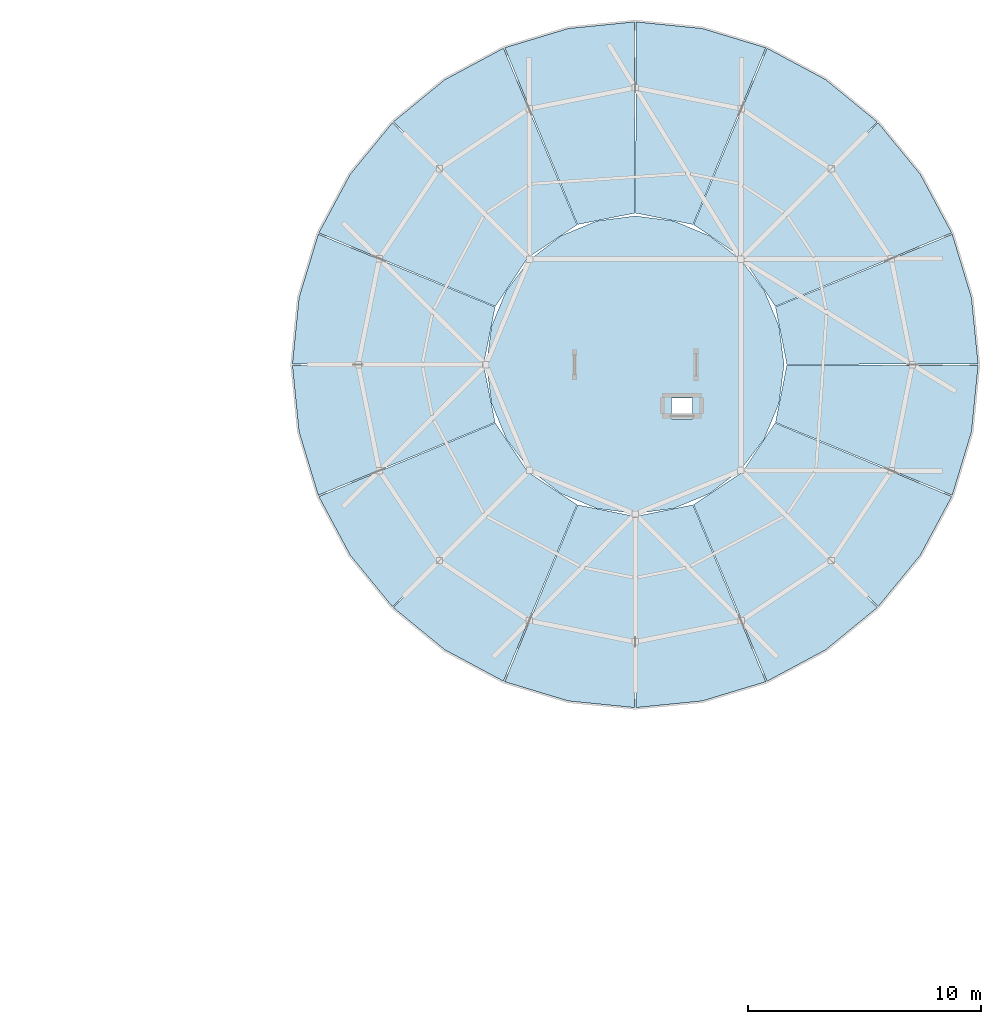
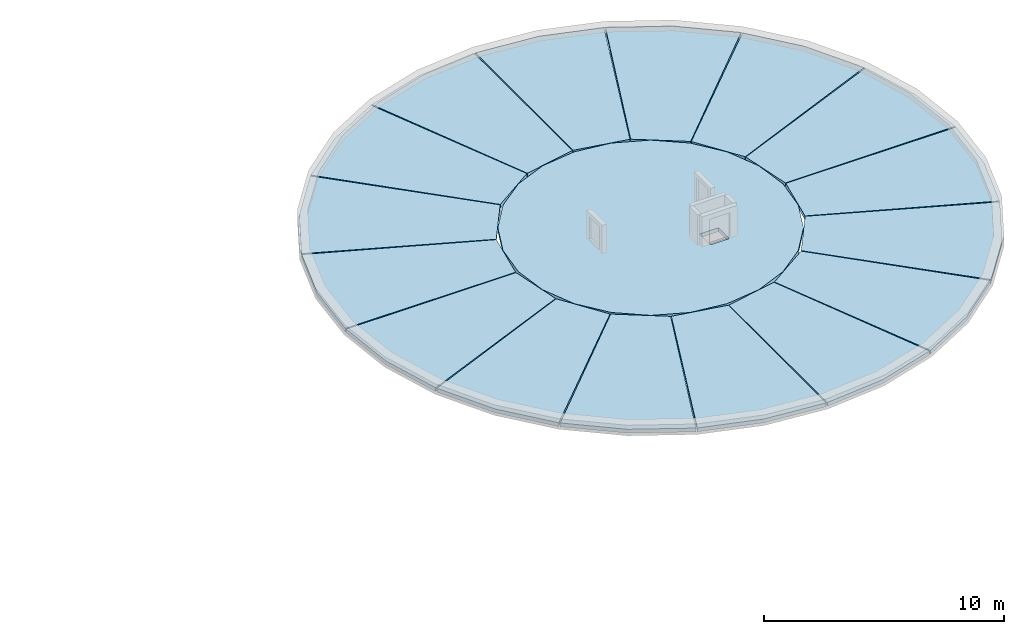
# One storey, part 11 of 30: 17 slabs.
"""IFC4 building model written with IfcOpenShell, lengths in metres."""

import ifcopenshell
import ifcopenshell.guid

model = None  # the IFC model being written
_history = None  # IfcOwnerHistory: only IFC2X3 demands one
_inside = {}  # id of a spatial element -> (the spatial element, [elements in it])
_under = {}  # id of a project, library or spatial element -> (it, [spatial elements below it])
_declared = {}  # id of a project -> (the project, [libraries it declares])
_typed = {}  # id of a type object -> (the type object, [elements of that type])
_made_of = {}  # id of a material, layer set ... -> (it, [elements and type objects made of it])


def new_model(schema):
    """Start an empty IFC model of exactly this schema.

    Asked for "IFC4X3", IfcOpenShell would pick the latest addendum, in which some entities
    have other attributes; the version numbers below select the first issue.
    IFC2X3 requires an IfcOwnerHistory on every rooted entity: one is made here for all.
    """
    global model, _history
    if schema == "IFC4X3":
        model = ifcopenshell.file(schema_version=(4, 3, 0, 0))
    else:
        model = ifcopenshell.file(schema=schema)
    _inside.clear()
    _under.clear()
    _declared.clear()
    _typed.clear()
    _made_of.clear()
    _history = None
    if model.schema == "IFC2X3":
        org = make("IfcOrganization", Name="unknown")
        user = make(
            "IfcPersonAndOrganization",
            ThePerson=make("IfcPerson", FamilyName="unknown"),
            TheOrganization=org,
        )
        app = make(
            "IfcApplication",
            ApplicationDeveloper=org,
            Version="unknown",
            ApplicationFullName="unknown",
            ApplicationIdentifier="unknown",
        )
        _history = make(
            "IfcOwnerHistory",
            OwningUser=user,
            OwningApplication=app,
            ChangeAction="ADDED",
            CreationDate=0,
        )
    return model


def make(cls, **values):
    """One entity of the class cls with the attributes given. An attribute that is None is left unset."""
    return model.create_entity(
        cls, **{name: value for name, value in values.items() if value is not None}
    )


def rooted(cls, **values):
    """An entity with a GlobalId (a new one), such as an element, a storey or a relation."""
    return make(cls, GlobalId=ifcopenshell.guid.new(), OwnerHistory=_history, **values)


def si_unit(unit_type, name, prefix=None):
    """IfcSIUnit, for example si_unit("LENGTHUNIT", "METRE", prefix="MILLI")."""
    return make("IfcSIUnit", UnitType=unit_type, Prefix=prefix, Name=name)


def assignment(units):
    """IfcUnitAssignment: the units of a project."""
    return None if units is None else make("IfcUnitAssignment", Units=units)


def point(xyz):
    """IfcCartesianPoint."""
    return None if xyz is None else make("IfcCartesianPoint", Coordinates=xyz)


def direction(xyz):
    """IfcDirection."""
    return None if xyz is None else make("IfcDirection", DirectionRatios=xyz)


def frame(location, z_axis=None, x_axis=None):
    """IfcAxis2Placement3D, a coordinate frame: its origin and axes. An axis left out is left unset."""
    return make(
        "IfcAxis2Placement3D",
        Location=point(location),
        Axis=direction(z_axis),
        RefDirection=direction(x_axis),
    )


def origin():
    """The frame at (0, 0, 0) with its axes left unset."""
    return frame((0.0, 0.0, 0.0))


def place(relative_to, where):
    """IfcLocalPlacement: puts the frame where relative to a parent placement (None: the world)."""
    return make(
        "IfcLocalPlacement", PlacementRelTo=relative_to, RelativePlacement=where
    )


def context(
    kind, dimensions, precision=None, world=None, true_north=None, identifier=None
):
    """IfcGeometricRepresentationContext, for example the 3D "Model" context."""
    return make(
        "IfcGeometricRepresentationContext",
        ContextIdentifier=identifier,
        ContextType=kind,
        CoordinateSpaceDimension=dimensions,
        Precision=precision,
        WorldCoordinateSystem=world,
        TrueNorth=true_north,
    )


def subcontext(parent, identifier, kind, view, scale=None):
    """IfcGeometricRepresentationSubContext, for example "Body" below "Model"."""
    return make(
        "IfcGeometricRepresentationSubContext",
        ContextIdentifier=identifier,
        ContextType=kind,
        ParentContext=parent,
        TargetScale=scale,
        TargetView=view,
    )


def project(units=None, contexts=None):
    """IfcProject with its units and contexts."""
    return rooted(
        "IfcProject",
        Name="project",
        RepresentationContexts=contexts,
        UnitsInContext=assignment(units),
    )


def spatial(cls, under=None, at=None, **own):
    """A site, building, storey or space (cls), placed at a placement, below another one or the project."""
    s = rooted(cls, ObjectPlacement=at, **own)
    if under is not None:
        _under.setdefault(under.id(), (under, []))[1].append(s)
    return s


def polyline(points):
    """IfcPolyline through the points."""
    return make("IfcPolyline", Points=[point(p) for p in points])


def outline(outer, holes=None, kind="AREA"):
    """IfcArbitraryClosedProfileDef: a profile drawn as a closed curve; with holes, ...WithVoids."""
    if holes is None:
        return make("IfcArbitraryClosedProfileDef", ProfileType=kind, OuterCurve=outer)
    return make(
        "IfcArbitraryProfileDefWithVoids",
        ProfileType=kind,
        OuterCurve=outer,
        InnerCurves=holes,
    )


def extrude(swept, where, along, depth):
    """IfcExtrudedAreaSolid: the profile swept, set in the frame where, extruded along a direction by depth."""
    return make(
        "IfcExtrudedAreaSolid",
        SweptArea=swept,
        Position=where,
        ExtrudedDirection=direction(along),
        Depth=depth,
    )


def shape(context_of_items, identifier, shape_type, items):
    """IfcShapeRepresentation: the items that make up one representation, for example the "Body"."""
    return make(
        "IfcShapeRepresentation",
        ContextOfItems=context_of_items,
        RepresentationIdentifier=identifier,
        RepresentationType=shape_type,
        Items=items,
    )


def material(Name=None, Category=None):
    """IfcMaterial."""
    return make("IfcMaterial", Name=Name, Category=Category)


def layer(
    of_material, thickness, ventilated=None, Name=None, Category=None, Priority=None
):
    """IfcMaterialLayer: one layer of a wall or slab, of a material (None: an air gap)."""
    return make(
        "IfcMaterialLayer",
        Material=of_material,
        LayerThickness=thickness,
        IsVentilated=ventilated,
        Name=Name,
        Category=Category,
        Priority=Priority,
    )


def layer_set(layers, Name=None):
    """IfcMaterialLayerSet."""
    return make("IfcMaterialLayerSet", MaterialLayers=layers, LayerSetName=Name)


def made_of(thing, what):
    """Note that an element or type object is made of a material, layer set ...; save() writes the relation."""
    if what is not None:
        _made_of.setdefault(what.id(), (what, []))[1].append(thing)
    return thing


def type_object(cls, material=None, **own):
    """A type object (cls), such as IfcWallType, which elements share."""
    return made_of(rooted(cls, **own), material)


def element(
    cls,
    number,
    at=None,
    inside=None,
    cuts=None,
    type_object=None,
    material=None,
    context=None,
    identifier="Body",
    shape_type=None,
    held_by="IfcProductDefinitionShape",
    body=None,
    shapes=None,
    **own,
):
    """One element of the class cls, such as IfcWall. Its Tag is "e" and its number.

    at: its placement. inside: the storey or other place that contains it. cuts: it is an
    opening in that element (IfcRelVoidsElement). A single representation is given by context,
    identifier, shape_type and body (its items); several are given by shapes. held_by: the class
    of the entity that holds the representations. save() writes the other relations.
    """
    e = rooted(cls, Tag="e%d" % number, ObjectPlacement=at, **own)
    if body is not None:
        shapes = [shape(context, identifier, shape_type, body)]
    if shapes is not None:
        e.Representation = make(held_by, Representations=shapes)
    if inside is not None:
        _inside.setdefault(inside.id(), (inside, []))[1].append(e)
    if cuts is not None:
        rooted(
            "IfcRelVoidsElement", RelatingBuildingElement=cuts, RelatedOpeningElement=e
        )
    if type_object is not None:
        _typed.setdefault(type_object.id(), (type_object, []))[1].append(e)
    return made_of(e, material)


def aggregate(whole, parts):
    """IfcRelAggregates: a whole, such as a stair, and the parts it consists of."""
    return rooted("IfcRelAggregates", RelatingObject=whole, RelatedObjects=parts)


def save(model, path):
    """Write the relations noted so far, then the file.

    IfcRelAggregates (storeys below a building ...), IfcRelContainedInSpatialStructure (elements
    in a storey), IfcRelDefinesByType, IfcRelAssociatesMaterial and IfcRelDeclares: one each for
    every whole, place, type object, material and project.
    """
    for whole, parts in _under.values():
        aggregate(whole, parts)
    for where, things in _inside.values():
        rooted(
            "IfcRelContainedInSpatialStructure",
            RelatedElements=things,
            RelatingStructure=where,
        )
    for kind, things in _typed.values():
        rooted("IfcRelDefinesByType", RelatedObjects=things, RelatingType=kind)
    for what, things in _made_of.values():
        rooted("IfcRelAssociatesMaterial", RelatedObjects=things, RelatingMaterial=what)
    for by, libraries in _declared.values():
        rooted("IfcRelDeclares", RelatingContext=by, RelatedDefinitions=libraries)
    model.write(path)


model = new_model("IFC4")

# Units and contexts
model_context = context("Model", 3, precision=1e-05, world=origin(), true_north=direction((0.0, 1.0)))
body_context = subcontext(model_context, "Body", "Model", "MODEL_VIEW")
ifc_project = project(units=[si_unit("LENGTHUNIT", "METRE"), si_unit("AREAUNIT", "SQUARE_METRE"), si_unit("VOLUMEUNIT", "CUBIC_METRE"), si_unit("PLANEANGLEUNIT", "RADIAN"), si_unit("MASSUNIT", "GRAM", prefix="KILO")], contexts=[model_context])

# Site, building, storey
site_placement = place(None, origin())
site = spatial("IfcSite", under=ifc_project, at=site_placement, CompositionType="ELEMENT")
building_placement = place(site_placement, origin())
building = spatial("IfcBuilding", under=site, at=building_placement, Name="Aldenvaro Health Centre", CompositionType="ELEMENT")
storey_placement = place(building_placement, frame((0.0, 0.0, 17.14990234375)))
storey = spatial("IfcBuildingStorey", under=building, at=storey_placement, Name="L04", CompositionType="ELEMENT", Elevation=17.14990234375)

# Slabs
ifc_material = material(Name="Cross-laminated timber CLT E1", Category="wood")
ifc_layer = layer(ifc_material, 0.195068359375, Name="Cross-laminated timber CLT E1", Category="wood")
ifc_layer_set = layer_set([ifc_layer], Name="Cross-laminated timber CLT E1")
slab_type = type_object("IfcSlabType", Name="SLB-ROOF-195", PredefinedType="ROOF", material=ifc_layer_set)
slab_1_placement = place(storey_placement, frame((0.0, 0.0, 0.6201171875)))
element("IfcSlab", 1, at=slab_1_placement, inside=storey, type_object=slab_type, Name="D2 Overhanging Flat Roof Sector 01", PredefinedType="ROOF", context=body_context, shape_type="SweptSolid", body=[
    extrude(outline(polyline([(169.199951171875, 99.531005859375), (168.91796875, 102.367919921875), (168.093017578125, 105.096923828125), (160.510009765625, 101.97509765625), (161.0, 99.513916015625), (169.199951171875, 99.531005859375)])), origin(), (0.0, 0.0, 1.0), 0.195068359375),
])
slab_2_placement = place(storey_placement, frame((0.0, 0.0, 0.6201171875)))
element("IfcSlab", 2, at=slab_2_placement, inside=storey, type_object=slab_type, Name="D2 Overhanging Flat Roof Sector 02", PredefinedType="ROOF", context=body_context, shape_type="SweptSolid", body=[
    extrude(outline(polyline([(168.069091796875, 105.153076171875), (166.722900390625, 107.6669921875), (164.916015625, 109.873046875), (159.10595703125, 104.0869140625), (160.5, 102.0), (168.069091796875, 105.153076171875)])), origin(), (0.0, 0.0, 1.0), 0.195068359375),
])
slab_3_placement = place(storey_placement, frame((0.0, 0.0, 0.6201171875)))
element("IfcSlab", 3, at=slab_3_placement, inside=storey, type_object=slab_type, Name="D2 Overhanging Flat Roof Sector 03", PredefinedType="ROOF", context=body_context, shape_type="SweptSolid", body=[
    extrude(outline(polyline([(164.873046875, 109.916015625), (162.6669921875, 111.722900390625), (160.153076171875, 113.069091796875), (157.0, 105.5), (159.0869140625, 104.10595703125), (164.873046875, 109.916015625)])), origin(), (0.0, 0.0, 1.0), 0.195068359375),
])
slab_4_placement = place(storey_placement, frame((0.0, 0.0, 0.6201171875)))
element("IfcSlab", 4, at=slab_4_placement, inside=storey, type_object=slab_type, Name="D2 Overhanging Flat Roof Sector 04", PredefinedType="ROOF", context=body_context, shape_type="SweptSolid", body=[
    extrude(outline(polyline([(160.096923828125, 113.093017578125), (157.367919921875, 113.91796875), (154.531005859375, 114.199951171875), (154.513916015625, 106.0), (156.97509765625, 105.510009765625), (160.096923828125, 113.093017578125)])), origin(), (0.0, 0.0, 1.0), 0.195068359375),
])
slab_5_placement = place(storey_placement, frame((0.0, 0.0, 0.6201171875)))
element("IfcSlab", 5, at=slab_5_placement, inside=storey, type_object=slab_type, Name="D2 Overhanging Flat Roof Sector 05", PredefinedType="ROOF", context=body_context, shape_type="SweptSolid", body=[
    extrude(outline(polyline([(154.468994140625, 114.199951171875), (151.632080078125, 113.91796875), (148.903076171875, 113.093017578125), (152.02490234375, 105.510009765625), (154.486083984375, 106.0), (154.468994140625, 114.199951171875)])), origin(), (0.0, 0.0, 1.0), 0.195068359375),
])
slab_6_placement = place(storey_placement, frame((0.0, 0.0, 0.6201171875)))
element("IfcSlab", 6, at=slab_6_placement, inside=storey, type_object=slab_type, Name="D2 Overhanging Flat Roof Sector 06", PredefinedType="ROOF", context=body_context, shape_type="SweptSolid", body=[
    extrude(outline(polyline([(148.846923828125, 113.069091796875), (146.3330078125, 111.722900390625), (144.126953125, 109.916015625), (149.9130859375, 104.10595703125), (152.0, 105.5), (148.846923828125, 113.069091796875)])), origin(), (0.0, 0.0, 1.0), 0.195068359375),
])
slab_7_placement = place(storey_placement, frame((0.0, 0.0, 0.6201171875)))
element("IfcSlab", 7, at=slab_7_placement, inside=storey, type_object=slab_type, Name="D2 Overhanging Flat Roof Sector 07", PredefinedType="ROOF", context=body_context, shape_type="SweptSolid", body=[
    extrude(outline(polyline([(144.083984375, 109.873046875), (142.277099609375, 107.6669921875), (140.930908203125, 105.153076171875), (148.5, 102.0), (149.89404296875, 104.0869140625), (144.083984375, 109.873046875)])), origin(), (0.0, 0.0, 1.0), 0.195068359375),
])
slab_8_placement = place(storey_placement, frame((0.0, 0.0, 0.6201171875)))
element("IfcSlab", 8, at=slab_8_placement, inside=storey, type_object=slab_type, Name="D2 Overhanging Flat Roof Sector 08", PredefinedType="ROOF", context=body_context, shape_type="SweptSolid", body=[
    extrude(outline(polyline([(140.906982421875, 105.096923828125), (140.08203125, 102.367919921875), (139.800048828125, 99.531005859375), (148.0, 99.513916015625), (148.489990234375, 101.97509765625), (140.906982421875, 105.096923828125)])), origin(), (0.0, 0.0, 1.0), 0.195068359375),
])
slab_9_placement = place(storey_placement, frame((0.0, 0.0, 0.6201171875)))
element("IfcSlab", 9, at=slab_9_placement, inside=storey, type_object=slab_type, Name="D2 Overhanging Flat Roof Sector 09", PredefinedType="ROOF", context=body_context, shape_type="SweptSolid", body=[
    extrude(outline(polyline([(139.800048828125, 99.468994140625), (140.08203125, 96.632080078125), (140.906982421875, 93.903076171875), (148.489990234375, 97.02490234375), (148.0, 99.486083984375), (139.800048828125, 99.468994140625)])), origin(), (0.0, 0.0, 1.0), 0.195068359375),
])
slab_10_placement = place(storey_placement, frame((0.0, 0.0, 0.6201171875)))
element("IfcSlab", 10, at=slab_10_placement, inside=storey, type_object=slab_type, Name="D2 Overhanging Flat Roof Sector 10", PredefinedType="ROOF", context=body_context, shape_type="SweptSolid", body=[
    extrude(outline(polyline([(140.930908203125, 93.846923828125), (142.277099609375, 91.3330078125), (144.083984375, 89.126953125), (149.89404296875, 94.9130859375), (148.5, 97.0), (140.930908203125, 93.846923828125)])), origin(), (0.0, 0.0, 1.0), 0.195068359375),
])
slab_11_placement = place(storey_placement, frame((0.0, 0.0, 0.6201171875)))
element("IfcSlab", 11, at=slab_11_placement, inside=storey, type_object=slab_type, Name="D2 Overhanging Flat Roof Sector 11", PredefinedType="ROOF", context=body_context, shape_type="SweptSolid", body=[
    extrude(outline(polyline([(144.126953125, 89.083984375), (146.3330078125, 87.277099609375), (148.846923828125, 85.930908203125), (152.0, 93.5), (149.9130859375, 94.89404296875), (144.126953125, 89.083984375)])), origin(), (0.0, 0.0, 1.0), 0.195068359375),
])
slab_12_placement = place(storey_placement, frame((0.0, 0.0, 0.6201171875)))
element("IfcSlab", 12, at=slab_12_placement, inside=storey, type_object=slab_type, Name="D2 Overhanging Flat Roof Sector 12", PredefinedType="ROOF", context=body_context, shape_type="SweptSolid", body=[
    extrude(outline(polyline([(148.903076171875, 85.906982421875), (151.632080078125, 85.08203125), (154.468994140625, 84.800048828125), (154.486083984375, 93.0), (152.02490234375, 93.489990234375), (148.903076171875, 85.906982421875)])), origin(), (0.0, 0.0, 1.0), 0.195068359375),
])
slab_13_placement = place(storey_placement, frame((0.0, 0.0, 0.6201171875)))
element("IfcSlab", 13, at=slab_13_placement, inside=storey, type_object=slab_type, Name="D2 Overhanging Flat Roof Sector 13", PredefinedType="ROOF", context=body_context, shape_type="SweptSolid", body=[
    extrude(outline(polyline([(154.531005859375, 84.800048828125), (157.367919921875, 85.08203125), (160.096923828125, 85.906982421875), (156.97509765625, 93.489990234375), (154.513916015625, 93.0), (154.531005859375, 84.800048828125)])), origin(), (0.0, 0.0, 1.0), 0.195068359375),
])
slab_14_placement = place(storey_placement, frame((0.0, 0.0, 0.6201171875)))
element("IfcSlab", 14, at=slab_14_placement, inside=storey, type_object=slab_type, Name="D2 Overhanging Flat Roof Sector 14", PredefinedType="ROOF", context=body_context, shape_type="SweptSolid", body=[
    extrude(outline(polyline([(160.153076171875, 85.930908203125), (162.6669921875, 87.277099609375), (164.873046875, 89.083984375), (159.0869140625, 94.89404296875), (157.0, 93.5), (160.153076171875, 85.930908203125)])), origin(), (0.0, 0.0, 1.0), 0.195068359375),
])
slab_15_placement = place(storey_placement, frame((0.0, 0.0, 0.6201171875)))
element("IfcSlab", 15, at=slab_15_placement, inside=storey, type_object=slab_type, Name="D2 Overhanging Flat Roof Sector 15", PredefinedType="ROOF", context=body_context, shape_type="SweptSolid", body=[
    extrude(outline(polyline([(164.916015625, 89.126953125), (166.722900390625, 91.3330078125), (168.069091796875, 93.846923828125), (160.5, 97.0), (159.10595703125, 94.9130859375), (164.916015625, 89.126953125)])), origin(), (0.0, 0.0, 1.0), 0.195068359375),
])
slab_16_placement = place(storey_placement, frame((0.0, 0.0, 0.6201171875)))
element("IfcSlab", 16, at=slab_16_placement, inside=storey, type_object=slab_type, Name="D2 Overhanging Flat Roof Sector 16", PredefinedType="ROOF", context=body_context, shape_type="SweptSolid", body=[
    extrude(outline(polyline([(168.093017578125, 93.903076171875), (168.91796875, 96.632080078125), (169.199951171875, 99.468994140625), (161.0, 99.486083984375), (160.510009765625, 97.02490234375), (168.093017578125, 93.903076171875)])), origin(), (0.0, 0.0, 1.0), 0.195068359375),
])
slab_17_placement = place(storey_placement, frame((0.0, 0.0, 0.6201171875)))
element("IfcSlab", 17, at=slab_17_placement, inside=storey, type_object=slab_type, Name="D2 Central Flat Roof Deck", PredefinedType="ROOF", context=body_context, shape_type="SweptSolid", body=[
    extrude(outline(polyline([(160.8798828125, 99.5), (160.6630859375, 101.15087890625), (160.02490234375, 102.68994140625), (159.010986328125, 104.010986328125), (157.68994140625, 105.02490234375), (156.15087890625, 105.6630859375), (154.5, 105.8798828125), (152.84912109375, 105.6630859375), (151.31005859375, 105.02490234375), (149.989013671875, 104.010986328125), (148.97509765625, 102.68994140625), (148.3369140625, 101.15087890625), (148.1201171875, 99.5), (148.3369140625, 97.84912109375), (148.97509765625, 96.31005859375), (149.989013671875, 94.989013671875), (151.31005859375, 93.97509765625), (152.84912109375, 93.3369140625), (154.5, 93.1201171875), (156.15087890625, 93.3369140625), (157.68994140625, 93.97509765625), (159.010986328125, 94.989013671875), (160.02490234375, 96.31005859375), (160.6630859375, 97.84912109375), (160.8798828125, 99.5)]), holes=[polyline([(156.050048828125, 97.179931640625), (156.050048828125, 98.080078125), (156.949951171875, 98.080078125), (156.949951171875, 97.179931640625), (156.050048828125, 97.179931640625)])]), origin(), (0.0, 0.0, 1.0), 0.195068359375),
])

save(model, "model.ifc")
